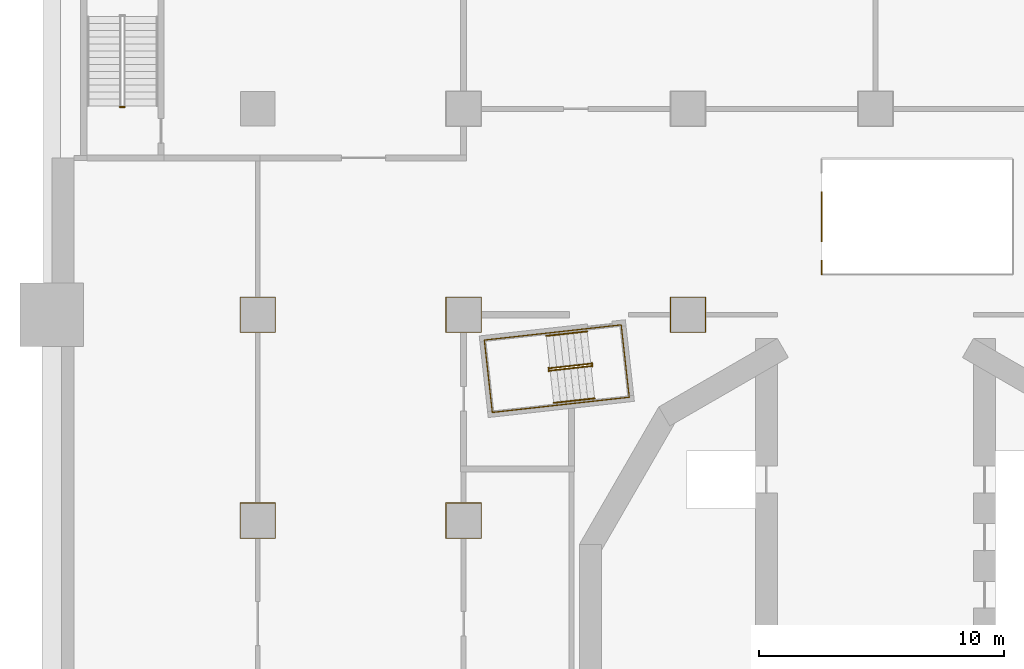
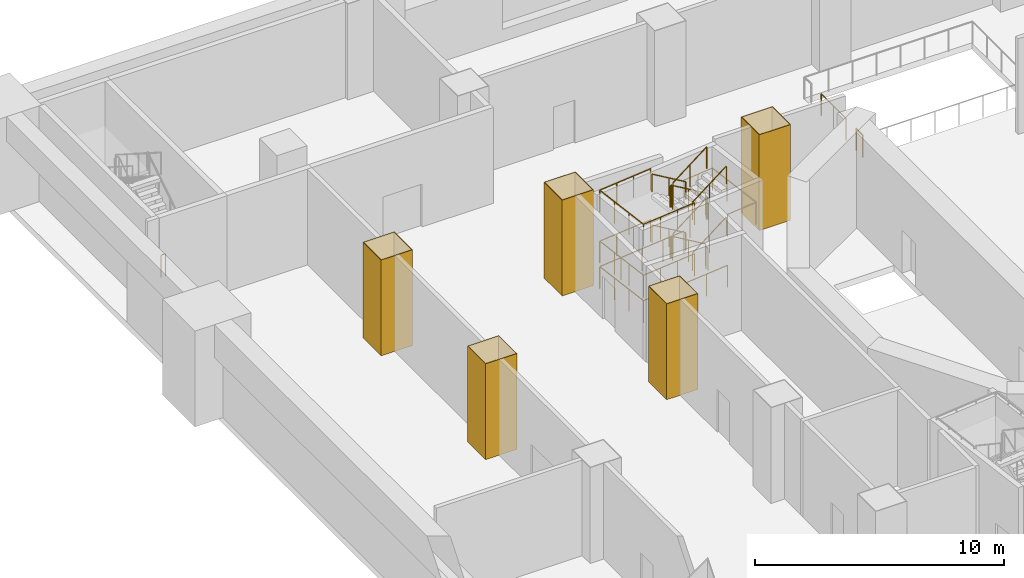
# One storey, part 12 of 17: 16 railings, 5 coverings.
"""IFC4 building model written with IfcOpenShell, lengths in metres."""

from ifc_helpers import new_model, si_unit, direction, frame, origin, origin_2d, place, context, subcontext, project, spatial, polyline, circle, outline, extrude, material, layer, layer_set, type_object, element, save


model = new_model("IFC4")

# Units and contexts
model_context = context("Model", 3, precision=1e-05, world=origin(), true_north=direction((0.0, 1.0)))
body_context = subcontext(model_context, "Body", "Model", "MODEL_VIEW")
ifc_project = project(units=[si_unit("LENGTHUNIT", "METRE"), si_unit("AREAUNIT", "SQUARE_METRE"), si_unit("VOLUMEUNIT", "CUBIC_METRE"), si_unit("PLANEANGLEUNIT", "RADIAN"), si_unit("MASSUNIT", "GRAM", prefix="KILO")], contexts=[model_context])

# Site, building, storey
site_placement = place(None, origin())
site = spatial("IfcSite", under=ifc_project, at=site_placement, CompositionType="ELEMENT")
building_placement = place(site_placement, origin())
building = spatial("IfcBuilding", under=site, at=building_placement, Name="Cantera Rosa Tower", CompositionType="ELEMENT")
storey_placement = place(building_placement, frame((0.0, 0.0, 22.0)))
storey = spatial("IfcBuildingStorey", under=building, at=storey_placement, Name="L03", CompositionType="ELEMENT", Elevation=22.0)

# Coverings
ifc_material_1 = material(Name="Plaster")
ifc_layer = layer(ifc_material_1, 0.030029296875)
ifc_layer_set = layer_set([ifc_layer], Name="Column casing 30")
covering_type = type_object("IfcCoveringType", Name="Column casing 30", PredefinedType="CLADDING", material=ifc_layer_set)
covering_1_placement = place(storey_placement, origin())
element("IfcCovering", 1, at=covering_1_placement, inside=storey, type_object=covering_type, Name="Column casing L03-003", PredefinedType="CLADDING", context=body_context, shape_type="SweptSolid", body=[
    extrude(outline(polyline([(-25.929931640625, 3.469970703125), (-24.469970703125, 3.469970703125), (-24.469970703125, 4.929931640625), (-25.929931640625, 4.929931640625), (-25.929931640625, 3.469970703125)]), holes=[polyline([(-24.5, 4.89990234375), (-25.89990234375, 4.89990234375), (-25.89990234375, 3.5), (-24.5, 3.5), (-24.5, 4.89990234375)])]), origin(), (0.0, 0.0, 1.0), 4.699951171875),
])
covering_2_placement = place(storey_placement, origin())
element("IfcCovering", 2, at=covering_2_placement, inside=storey, type_object=covering_type, Name="Column casing L03-004", PredefinedType="CLADDING", context=body_context, shape_type="SweptSolid", body=[
    extrude(outline(polyline([(-25.929931640625, 11.8701171875), (-24.469970703125, 11.8701171875), (-24.469970703125, 13.330078125), (-25.929931640625, 13.330078125), (-25.929931640625, 11.8701171875)]), holes=[polyline([(-24.5, 13.300048828125), (-25.89990234375, 13.300048828125), (-25.89990234375, 11.89990234375), (-24.5, 11.89990234375), (-24.5, 13.300048828125)])]), origin(), (0.0, 0.0, 1.0), 4.699951171875),
])
covering_3_placement = place(storey_placement, origin())
element("IfcCovering", 3, at=covering_3_placement, inside=storey, type_object=covering_type, Name="Column casing L03-009", PredefinedType="CLADDING", context=body_context, shape_type="SweptSolid", body=[
    extrude(outline(polyline([(-17.530029296875, 3.469970703125), (-16.070068359375, 3.469970703125), (-16.070068359375, 4.929931640625), (-17.530029296875, 4.929931640625), (-17.530029296875, 3.469970703125)]), holes=[polyline([(-16.10009765625, 4.89990234375), (-17.5, 4.89990234375), (-17.5, 3.5), (-16.10009765625, 3.5), (-16.10009765625, 4.89990234375)])]), origin(), (0.0, 0.0, 1.0), 4.699951171875),
])
covering_4_placement = place(storey_placement, origin())
element("IfcCovering", 4, at=covering_4_placement, inside=storey, type_object=covering_type, Name="Column casing L03-010", PredefinedType="CLADDING", context=body_context, shape_type="SweptSolid", body=[
    extrude(outline(polyline([(-17.530029296875, 11.8701171875), (-16.070068359375, 11.8701171875), (-16.070068359375, 13.330078125), (-17.530029296875, 13.330078125), (-17.530029296875, 11.8701171875)]), holes=[polyline([(-16.10009765625, 13.300048828125), (-17.5, 13.300048828125), (-17.5, 11.89990234375), (-16.10009765625, 11.89990234375), (-16.10009765625, 13.300048828125)])]), origin(), (0.0, 0.0, 1.0), 4.699951171875),
])
covering_5_placement = place(storey_placement, origin())
element("IfcCovering", 5, at=covering_5_placement, inside=storey, type_object=covering_type, Name="Column casing L03-015", PredefinedType="CLADDING", context=body_context, shape_type="SweptSolid", body=[
    extrude(outline(polyline([(-8.3798828125, 11.8701171875), (-6.919921875, 11.8701171875), (-6.919921875, 13.330078125), (-8.3798828125, 13.330078125), (-8.3798828125, 11.8701171875)]), holes=[polyline([(-6.949951171875, 13.300048828125), (-8.35009765625, 13.300048828125), (-8.35009765625, 11.89990234375), (-6.949951171875, 11.89990234375), (-6.949951171875, 13.300048828125)])]), origin(), (0.0, 0.0, 1.0), 4.699951171875),
])

# Railings
ifc_material_2 = material(Name="Steel S355J2 (EN 10025-2)", Category="steel")
railing_type_1 = type_object("IfcRailingType", Name="STAIR GUARD 1100", PredefinedType="GUARDRAIL", material=ifc_material_2)
railing_1_placement = place(storey_placement, frame((-11.614013671875, 10.60302734375, 0.178466796875)))
element("IfcRailing", 6, at=railing_1_placement, inside=storey, type_object=railing_type_1, Name="L03 ST-12 stair guard 1", PredefinedType="GUARDRAIL", context=body_context, shape_type="SweptSolid", body=[
    extrude(circle(Radius=0.02392578125, at=origin_2d()), frame((0.0, 0.0, 1.076171875), z_axis=(-0.837950904326, -0.092996744609, 0.537763784046), x_axis=(0.110303920128, -0.993897904819, 0.0)), (0.0, 0.0, 1.0), 1.99267578125),
    extrude(circle(Radius=0.02392578125, at=origin_2d()), frame((-1.669677734375, -0.185302734375, 2.1474609375), z_axis=(-0.931434406233, 0.363909256389, 0.0), x_axis=(-0.363909256389, -0.931434406233, 0.0)), (0.0, 0.0, 1.0), 0.056396484375),
    extrude(circle(Radius=0.02392578125, at=origin_2d()), frame((-1.72216796875, -0.164794921875, 2.1474609375), z_axis=(0.1090029065, -0.994041430915, 0.0), x_axis=(0.994041430915, 0.1090029065, 0.0)), (0.0, 0.0, 1.0), 0.150146484375),
    extrude(circle(Radius=0.02099609375, at=origin_2d()), origin(), (0.0, 0.0, 1.0), 1.052001953125),
    extrude(circle(Radius=0.02099609375, at=origin_2d()), frame((-0.8349609375, -0.0927734375, 0.53564453125)), (0.0, 0.0, 1.0), 1.052001953125),
    extrude(circle(Radius=0.02099609375, at=origin_2d()), frame((-1.669677734375, -0.185302734375, 1.071533203125)), (0.0, 0.0, 1.0), 1.052001953125),
    extrude(circle(Radius=0.02099609375, at=origin_2d()), frame((-1.72216796875, -0.164794921875, 1.071533203125)), (0.0, 0.0, 1.0), 1.052001953125),
    extrude(circle(Radius=0.02099609375, at=origin_2d()), frame((-1.705810546875, -0.31396484375, 1.071533203125)), (0.0, 0.0, 1.0), 1.052001953125),
])
railing_2_placement = place(storey_placement, frame((-13.27294921875, 10.3203125, 1.428466796875)))
element("IfcRailing", 7, at=railing_2_placement, inside=storey, type_object=railing_type_1, Name="L03 ST-12 stair guard 2", PredefinedType="GUARDRAIL", context=body_context, shape_type="SweptSolid", body=[
    extrude(circle(Radius=0.02392578125, at=origin_2d()), frame((0.0, 0.0, 1.076171875), z_axis=(0.837987391448, 0.092987197384, 0.537708576179), x_axis=(-0.11028798999, 0.993899672635, 0.0)), (0.0, 0.0, 1.0), 1.99267578125),
    extrude(circle(Radius=0.02392578125, at=origin_2d()), frame((1.669921875, 0.185302734375, 2.1474609375), z_axis=(0.932897555956, -0.360141847183, 0.0), x_axis=(0.360141847183, 0.932897555956, 0.0)), (0.0, 0.0, 1.0), 0.05615234375),
    extrude(circle(Radius=0.02392578125, at=origin_2d()), frame((1.722412109375, 0.1650390625, 2.1474609375), z_axis=(-0.110610055588, 0.993863881828, 0.0), x_axis=(-0.993863881828, -0.110610055588, 0.0)), (0.0, 0.0, 1.0), 0.150146484375),
    extrude(circle(Radius=0.02099609375, at=origin_2d()), origin(), (0.0, 0.0, 1.0), 1.052001953125),
    extrude(circle(Radius=0.02099609375, at=origin_2d()), frame((0.8349609375, 0.0927734375, 0.53564453125)), (0.0, 0.0, 1.0), 1.052001953125),
    extrude(circle(Radius=0.02099609375, at=origin_2d()), frame((1.669921875, 0.185302734375, 1.071533203125)), (0.0, 0.0, 1.0), 1.052001953125),
    extrude(circle(Radius=0.02099609375, at=origin_2d()), frame((1.722412109375, 0.1650390625, 1.071533203125)), (0.0, 0.0, 1.0), 1.052001953125),
    extrude(circle(Radius=0.02099609375, at=origin_2d()), frame((1.705810546875, 0.314208984375, 1.071533203125)), (0.0, 0.0, 1.0), 1.052001953125),
])
railing_3_placement = place(storey_placement, frame((-11.614013671875, 10.60302734375, 2.678466796875)))
element("IfcRailing", 8, at=railing_3_placement, inside=storey, type_object=railing_type_1, Name="L03 ST-12 stair guard 3", PredefinedType="GUARDRAIL", context=body_context, shape_type="SweptSolid", body=[
    extrude(circle(Radius=0.02392578125, at=origin_2d()), frame((0.0, 0.0, 1.076171875), z_axis=(-0.837950904326, -0.092996744609, 0.537763784046), x_axis=(0.110303920128, -0.993897904819, 0.0)), (0.0, 0.0, 1.0), 1.99267578125),
    extrude(circle(Radius=0.02392578125, at=origin_2d()), frame((-1.669677734375, -0.185302734375, 2.1474609375), z_axis=(-0.931434406233, 0.363909256389, 0.0), x_axis=(-0.363909256389, -0.931434406233, 0.0)), (0.0, 0.0, 1.0), 0.056396484375),
    extrude(circle(Radius=0.02392578125, at=origin_2d()), frame((-1.72216796875, -0.164794921875, 2.1474609375), z_axis=(0.1090029065, -0.994041430915, 0.0), x_axis=(0.994041430915, 0.1090029065, 0.0)), (0.0, 0.0, 1.0), 0.150146484375),
    extrude(circle(Radius=0.02099609375, at=origin_2d()), origin(), (0.0, 0.0, 1.0), 1.052001953125),
    extrude(circle(Radius=0.02099609375, at=origin_2d()), frame((-0.8349609375, -0.0927734375, 0.53564453125)), (0.0, 0.0, 1.0), 1.052001953125),
    extrude(circle(Radius=0.02099609375, at=origin_2d()), frame((-1.669677734375, -0.185302734375, 1.071533203125)), (0.0, 0.0, 1.0), 1.052001953125),
    extrude(circle(Radius=0.02099609375, at=origin_2d()), frame((-1.72216796875, -0.164794921875, 1.071533203125)), (0.0, 0.0, 1.0), 1.052001953125),
    extrude(circle(Radius=0.02099609375, at=origin_2d()), frame((-1.705810546875, -0.31396484375, 1.071533203125)), (0.0, 0.0, 1.0), 1.052001953125),
])
railing_4_placement = place(storey_placement, frame((-13.27294921875, 10.3203125, 3.928466796875)))
element("IfcRailing", 9, at=railing_4_placement, inside=storey, type_object=railing_type_1, Name="L03 ST-12 stair guard 4", PredefinedType="GUARDRAIL", context=body_context, shape_type="SweptSolid", body=[
    extrude(circle(Radius=0.02392578125, at=origin_2d()), frame((0.0, 0.0, 1.076171875), z_axis=(0.837987391448, 0.092987197384, 0.537708576179), x_axis=(-0.11028798999, 0.993899672635, 0.0)), (0.0, 0.0, 1.0), 1.99267578125),
    extrude(circle(Radius=0.02099609375, at=origin_2d()), origin(), (0.0, 0.0, 1.0), 1.052001953125),
    extrude(circle(Radius=0.02099609375, at=origin_2d()), frame((0.8349609375, 0.0927734375, 0.53564453125)), (0.0, 0.0, 1.0), 1.052001953125),
    extrude(circle(Radius=0.02099609375, at=origin_2d()), frame((1.669921875, 0.185302734375, 1.071533203125)), (0.0, 0.0, 1.0), 1.052001953125),
])
railing_5_placement = place(storey_placement, frame((-11.567138671875, 10.634521484375, 0.0)))
element("IfcRailing", 10, at=railing_5_placement, inside=storey, type_object=railing_type_1, Name="L03 ST-12 stair guard 5", PredefinedType="GUARDRAIL", context=body_context, shape_type="SweptSolid", body=[
    extrude(circle(Radius=0.02392578125, at=origin_2d()), frame((0.0, 0.0, 1.076171875), z_axis=(0.110610055588, -0.993863881828, 0.0), x_axis=(0.993863881828, 0.110610055588, 0.0)), (0.0, 0.0, 1.0), 0.150146484375),
    extrude(circle(Radius=0.02099609375, at=origin_2d()), origin(), (0.0, 0.0, 1.0), 1.052001953125),
    extrude(circle(Radius=0.02099609375, at=origin_2d()), frame((0.0166015625, -0.149169921875, 0.0)), (0.0, 0.0, 1.0), 1.052001953125),
])
railing_6_placement = place(storey_placement, frame((-11.7841796875, 12.029052734375, 0.0)))
element("IfcRailing", 11, at=railing_6_placement, inside=storey, type_object=railing_type_1, Name="L03 ST-12 stair guard 6", PredefinedType="GUARDRAIL", context=body_context, shape_type="SweptSolid", body=[
    extrude(circle(Radius=0.02392578125, at=origin_2d()), frame((0.0, 0.0, 1.076171875), z_axis=(-0.9938957856, -0.110323013767, 0.0), x_axis=(0.110323013767, -0.9938957856, 0.0)), (0.0, 0.0, 1.0), 4.197998046875),
    extrude(circle(Radius=0.02392578125, at=origin_2d()), frame((-4.17236328125, -0.463134765625, 1.076171875), z_axis=(0.11023303584, -0.99390576908, 0.0), x_axis=(0.99390576908, 0.11023303584, 0.0)), (0.0, 0.0, 1.0), 2.969970703125),
    extrude(circle(Radius=0.02392578125, at=origin_2d()), frame((-3.844970703125, -3.4150390625, 1.076171875), z_axis=(0.993896493372, 0.11031663729, 0.0), x_axis=(-0.11031663729, 0.993896493372, 0.0)), (0.0, 0.0, 1.0), 4.1982421875),
    extrude(circle(Radius=0.02099609375, at=origin_2d()), origin(), (0.0, 0.0, 1.0), 1.052001953125),
    extrude(circle(Radius=0.02099609375, at=origin_2d()), frame((-1.04296875, -0.11572265625, 0.0)), (0.0, 0.0, 1.0), 1.052001953125),
    extrude(circle(Radius=0.02099609375, at=origin_2d()), frame((-2.086181640625, -0.2314453125, 0.0)), (0.0, 0.0, 1.0), 1.052001953125),
    extrude(circle(Radius=0.02099609375, at=origin_2d()), frame((-3.12939453125, -0.347412109375, 0.0)), (0.0, 0.0, 1.0), 1.052001953125),
    extrude(circle(Radius=0.02099609375, at=origin_2d()), frame((-4.17236328125, -0.463134765625, 0.0)), (0.0, 0.0, 1.0), 1.052001953125),
    extrude(circle(Radius=0.02099609375, at=origin_2d()), frame((-4.063232421875, -1.447021484375, 0.0)), (0.0, 0.0, 1.0), 1.052001953125),
    extrude(circle(Radius=0.02099609375, at=origin_2d()), frame((-3.9541015625, -2.43115234375, 0.0)), (0.0, 0.0, 1.0), 1.052001953125),
    extrude(circle(Radius=0.02099609375, at=origin_2d()), frame((-3.844970703125, -3.4150390625, 0.0)), (0.0, 0.0, 1.0), 1.052001953125),
    extrude(circle(Radius=0.02099609375, at=origin_2d()), frame((-2.8017578125, -3.29931640625, 0.0)), (0.0, 0.0, 1.0), 1.052001953125),
    extrude(circle(Radius=0.02099609375, at=origin_2d()), frame((-1.7587890625, -3.18359375, 0.0)), (0.0, 0.0, 1.0), 1.052001953125),
    extrude(circle(Radius=0.02099609375, at=origin_2d()), frame((-0.715576171875, -3.067626953125, 0.0)), (0.0, 0.0, 1.0), 1.052001953125),
    extrude(circle(Radius=0.02099609375, at=origin_2d()), frame((0.32763671875, -2.951904296875, 0.0)), (0.0, 0.0, 1.0), 1.052001953125),
])
railing_7_placement = place(storey_placement, frame((-13.43017578125, 11.846435546875, 1.25)))
element("IfcRailing", 12, at=railing_7_placement, inside=storey, type_object=railing_type_1, Name="L03 ST-12 stair guard 7", PredefinedType="GUARDRAIL", context=body_context, shape_type="SweptSolid", body=[
    extrude(circle(Radius=0.02392578125, at=origin_2d()), frame((0.0, 0.0, 1.076171875), z_axis=(-0.993891931048, -0.110357733743, 0.0), x_axis=(0.110357733743, -0.993891931048, 0.0)), (0.0, 0.0, 1.0), 2.5419921875),
    extrude(circle(Radius=0.02392578125, at=origin_2d()), frame((-2.5263671875, -0.280517578125, 1.076171875), z_axis=(0.11023303584, -0.99390576908, 0.0), x_axis=(0.99390576908, 0.11023303584, 0.0)), (0.0, 0.0, 1.0), 2.969970703125),
    extrude(circle(Radius=0.02392578125, at=origin_2d()), frame((-2.198974609375, -3.232421875, 1.076171875), z_axis=(0.993893100618, 0.110347199982, 0.0), x_axis=(-0.110347199982, 0.993893100618, 0.0)), (0.0, 0.0, 1.0), 2.542236328125),
    extrude(circle(Radius=0.02099609375, at=origin_2d()), origin(), (0.0, 0.0, 1.0), 1.052001953125),
    extrude(circle(Radius=0.02099609375, at=origin_2d()), frame((-0.842041015625, -0.093505859375, 0.0)), (0.0, 0.0, 1.0), 1.052001953125),
    extrude(circle(Radius=0.02099609375, at=origin_2d()), frame((-1.684326171875, -0.18701171875, 0.0)), (0.0, 0.0, 1.0), 1.052001953125),
    extrude(circle(Radius=0.02099609375, at=origin_2d()), frame((-2.5263671875, -0.280517578125, 0.0)), (0.0, 0.0, 1.0), 1.052001953125),
    extrude(circle(Radius=0.02099609375, at=origin_2d()), frame((-2.417236328125, -1.264404296875, 0.0)), (0.0, 0.0, 1.0), 1.052001953125),
    extrude(circle(Radius=0.02099609375, at=origin_2d()), frame((-2.30810546875, -2.24853515625, 0.0)), (0.0, 0.0, 1.0), 1.052001953125),
    extrude(circle(Radius=0.02099609375, at=origin_2d()), frame((-2.198974609375, -3.232421875, 0.0)), (0.0, 0.0, 1.0), 1.052001953125),
    extrude(circle(Radius=0.02099609375, at=origin_2d()), frame((-1.356689453125, -3.138916015625, 0.0)), (0.0, 0.0, 1.0), 1.052001953125),
    extrude(circle(Radius=0.02099609375, at=origin_2d()), frame((-0.5146484375, -3.04541015625, 0.0)), (0.0, 0.0, 1.0), 1.052001953125),
    extrude(circle(Radius=0.02099609375, at=origin_2d()), frame((0.32763671875, -2.951904296875, 0.0)), (0.0, 0.0, 1.0), 1.052001953125),
])
railing_8_placement = place(storey_placement, frame((-11.7841796875, 12.029052734375, 2.5)))
element("IfcRailing", 13, at=railing_8_placement, inside=storey, type_object=railing_type_1, Name="L03 ST-12 stair guard 8", PredefinedType="GUARDRAIL", context=body_context, shape_type="SweptSolid", body=[
    extrude(circle(Radius=0.02392578125, at=origin_2d()), frame((0.0, 0.0, 1.076171875), z_axis=(0.993887921413, 0.110393838913, 0.0), x_axis=(-0.110393838913, 0.993887921413, 0.0)), (0.0, 0.0, 1.0), 1.422119140625),
    extrude(circle(Radius=0.02392578125, at=origin_2d()), frame((1.413330078125, 0.156982421875, 1.076171875), z_axis=(0.11023303584, -0.99390576908, 0.0), x_axis=(0.99390576908, 0.11023303584, 0.0)), (0.0, 0.0, 1.0), 2.969970703125),
    extrude(circle(Radius=0.02392578125, at=origin_2d()), frame((1.74072265625, -2.794921875, 1.076171875), z_axis=(-0.993885828579, -0.110412679298, 0.0), x_axis=(0.110412679298, -0.993885828579, 0.0)), (0.0, 0.0, 1.0), 1.421875),
    extrude(circle(Radius=0.02099609375, at=origin_2d()), origin(), (0.0, 0.0, 1.0), 1.052001953125),
    extrude(circle(Radius=0.02099609375, at=origin_2d()), frame((0.70654296875, 0.07861328125, 0.0)), (0.0, 0.0, 1.0), 1.052001953125),
    extrude(circle(Radius=0.02099609375, at=origin_2d()), frame((1.413330078125, 0.156982421875, 0.0)), (0.0, 0.0, 1.0), 1.052001953125),
    extrude(circle(Radius=0.02099609375, at=origin_2d()), frame((1.5224609375, -0.826904296875, 0.0)), (0.0, 0.0, 1.0), 1.052001953125),
    extrude(circle(Radius=0.02099609375, at=origin_2d()), frame((1.631591796875, -1.81103515625, 0.0)), (0.0, 0.0, 1.0), 1.052001953125),
    extrude(circle(Radius=0.02099609375, at=origin_2d()), frame((1.74072265625, -2.794921875, 0.0)), (0.0, 0.0, 1.0), 1.052001953125),
    extrude(circle(Radius=0.02099609375, at=origin_2d()), frame((1.0341796875, -2.87353515625, 0.0)), (0.0, 0.0, 1.0), 1.052001953125),
    extrude(circle(Radius=0.02099609375, at=origin_2d()), frame((0.32763671875, -2.951904296875, 0.0)), (0.0, 0.0, 1.0), 1.052001953125),
])
railing_9_placement = place(storey_placement, frame((-13.43017578125, 11.846435546875, 3.75)))
element("IfcRailing", 14, at=railing_9_placement, inside=storey, type_object=railing_type_1, Name="L03 ST-12 stair guard 9", PredefinedType="GUARDRAIL", context=body_context, shape_type="SweptSolid", body=[
    extrude(circle(Radius=0.02392578125, at=origin_2d()), frame((0.0, 0.0, 1.076171875), z_axis=(-0.993891931048, -0.110357733743, 0.0), x_axis=(0.110357733743, -0.993891931048, 0.0)), (0.0, 0.0, 1.0), 2.5419921875),
    extrude(circle(Radius=0.02392578125, at=origin_2d()), frame((-2.5263671875, -0.280517578125, 1.076171875), z_axis=(0.11023303584, -0.99390576908, 0.0), x_axis=(0.99390576908, 0.11023303584, 0.0)), (0.0, 0.0, 1.0), 2.969970703125),
    extrude(circle(Radius=0.02392578125, at=origin_2d()), frame((-2.198974609375, -3.232421875, 1.076171875), z_axis=(0.993893100618, 0.110347199982, 0.0), x_axis=(-0.110347199982, 0.993893100618, 0.0)), (0.0, 0.0, 1.0), 2.542236328125),
    extrude(circle(Radius=0.02099609375, at=origin_2d()), origin(), (0.0, 0.0, 1.0), 1.052001953125),
    extrude(circle(Radius=0.02099609375, at=origin_2d()), frame((-0.842041015625, -0.093505859375, 0.0)), (0.0, 0.0, 1.0), 1.052001953125),
    extrude(circle(Radius=0.02099609375, at=origin_2d()), frame((-1.684326171875, -0.18701171875, 0.0)), (0.0, 0.0, 1.0), 1.052001953125),
    extrude(circle(Radius=0.02099609375, at=origin_2d()), frame((-2.5263671875, -0.280517578125, 0.0)), (0.0, 0.0, 1.0), 1.052001953125),
    extrude(circle(Radius=0.02099609375, at=origin_2d()), frame((-2.417236328125, -1.264404296875, 0.0)), (0.0, 0.0, 1.0), 1.052001953125),
    extrude(circle(Radius=0.02099609375, at=origin_2d()), frame((-2.30810546875, -2.24853515625, 0.0)), (0.0, 0.0, 1.0), 1.052001953125),
    extrude(circle(Radius=0.02099609375, at=origin_2d()), frame((-2.198974609375, -3.232421875, 0.0)), (0.0, 0.0, 1.0), 1.052001953125),
    extrude(circle(Radius=0.02099609375, at=origin_2d()), frame((-1.356689453125, -3.138916015625, 0.0)), (0.0, 0.0, 1.0), 1.052001953125),
    extrude(circle(Radius=0.02099609375, at=origin_2d()), frame((-0.5146484375, -3.04541015625, 0.0)), (0.0, 0.0, 1.0), 1.052001953125),
    extrude(circle(Radius=0.02099609375, at=origin_2d()), frame((0.32763671875, -2.951904296875, 0.0)), (0.0, 0.0, 1.0), 1.052001953125),
])
railing_10_placement = place(storey_placement, frame((-30.625, 21.074951171875, 0.0)))
element("IfcRailing", 15, at=railing_10_placement, inside=storey, type_object=railing_type_1, Name="L03 ST-NW stair guard 4", PredefinedType="GUARDRAIL", context=body_context, shape_type="SweptSolid", body=[
    extrude(circle(Radius=0.02392578125, at=origin_2d()), frame((0.0, 0.0, 1.076171875), z_axis=(-1.0, 0.0, 0.0), x_axis=(0.0, -1.0, 0.0)), (0.0, 0.0, 1.0), 0.199951171875),
    extrude(circle(Radius=0.02099609375, at=origin_2d()), origin(), (0.0, 0.0, 1.0), 1.052001953125),
    extrude(circle(Radius=0.02099609375, at=origin_2d()), frame((-0.199951171875, 0.0, 0.0)), (0.0, 0.0, 1.0), 1.052001953125),
])
ifc_material_3 = material(Name="Steel S355J2 (EN 10025-2)", Category="steel")
railing_type_2 = type_object("IfcRailingType", Name="STAIR HANDRAIL 900", PredefinedType="HANDRAIL", material=ifc_material_3)
railing_11_placement = place(storey_placement, frame((-11.76025390625, 11.921142578125, 0.178466796875)))
element("IfcRailing", 16, at=railing_11_placement, inside=storey, type_object=railing_type_2, Name="L03 ST-12 stair handrail 1", PredefinedType="HANDRAIL", context=body_context, shape_type="SweptSolid", body=[
    extrude(circle(Radius=0.02392578125, at=origin_2d()), frame((0.0, 0.0, 0.8759765625), z_axis=(-0.837950904326, -0.092996744609, 0.537763784046), x_axis=(0.110303920128, -0.993897904819, 0.0)), (0.0, 0.0, 1.0), 1.99267578125),
    extrude(circle(Radius=0.02099609375, at=origin_2d()), origin(), (0.0, 0.0, 1.0), 0.851806640625),
    extrude(circle(Radius=0.02099609375, at=origin_2d()), frame((-0.8349609375, -0.0927734375, 0.53564453125)), (0.0, 0.0, 1.0), 0.851806640625),
    extrude(circle(Radius=0.02099609375, at=origin_2d()), frame((-1.669677734375, -0.185302734375, 1.071533203125)), (0.0, 0.0, 1.0), 0.851806640625),
])
railing_12_placement = place(storey_placement, frame((-13.126708984375, 9.00244140625, 1.428466796875)))
element("IfcRailing", 17, at=railing_12_placement, inside=storey, type_object=railing_type_2, Name="L03 ST-12 stair handrail 2", PredefinedType="HANDRAIL", context=body_context, shape_type="SweptSolid", body=[
    extrude(circle(Radius=0.02392578125, at=origin_2d()), frame((0.0, 0.0, 0.8759765625), z_axis=(0.837987391448, 0.092987197384, 0.537708576179), x_axis=(-0.11028798999, 0.993899672635, 0.0)), (0.0, 0.0, 1.0), 1.99267578125),
    extrude(circle(Radius=0.02099609375, at=origin_2d()), origin(), (0.0, 0.0, 1.0), 0.851806640625),
    extrude(circle(Radius=0.02099609375, at=origin_2d()), frame((0.8349609375, 0.0927734375, 0.53564453125)), (0.0, 0.0, 1.0), 0.851806640625),
    extrude(circle(Radius=0.02099609375, at=origin_2d()), frame((1.669921875, 0.185302734375, 1.071533203125)), (0.0, 0.0, 1.0), 0.851806640625),
])
railing_13_placement = place(storey_placement, frame((-11.76025390625, 11.921142578125, 2.678466796875)))
element("IfcRailing", 18, at=railing_13_placement, inside=storey, type_object=railing_type_2, Name="L03 ST-12 stair handrail 3", PredefinedType="HANDRAIL", context=body_context, shape_type="SweptSolid", body=[
    extrude(circle(Radius=0.02392578125, at=origin_2d()), frame((0.0, 0.0, 0.8759765625), z_axis=(-0.837950904326, -0.092996744609, 0.537763784046), x_axis=(0.110303920128, -0.993897904819, 0.0)), (0.0, 0.0, 1.0), 1.99267578125),
    extrude(circle(Radius=0.02099609375, at=origin_2d()), origin(), (0.0, 0.0, 1.0), 0.851806640625),
    extrude(circle(Radius=0.02099609375, at=origin_2d()), frame((-0.8349609375, -0.0927734375, 0.53564453125)), (0.0, 0.0, 1.0), 0.851806640625),
    extrude(circle(Radius=0.02099609375, at=origin_2d()), frame((-1.669677734375, -0.185302734375, 1.071533203125)), (0.0, 0.0, 1.0), 0.851806640625),
])
railing_14_placement = place(storey_placement, frame((-13.126708984375, 9.00244140625, 3.928466796875)))
element("IfcRailing", 19, at=railing_14_placement, inside=storey, type_object=railing_type_2, Name="L03 ST-12 stair handrail 4", PredefinedType="HANDRAIL", context=body_context, shape_type="SweptSolid", body=[
    extrude(circle(Radius=0.02392578125, at=origin_2d()), frame((0.0, 0.0, 0.8759765625), z_axis=(0.837987391448, 0.092987197384, 0.537708576179), x_axis=(-0.11028798999, 0.993899672635, 0.0)), (0.0, 0.0, 1.0), 1.99267578125),
    extrude(circle(Radius=0.02099609375, at=origin_2d()), origin(), (0.0, 0.0, 1.0), 0.851806640625),
    extrude(circle(Radius=0.02099609375, at=origin_2d()), frame((0.8349609375, 0.0927734375, 0.53564453125)), (0.0, 0.0, 1.0), 0.851806640625),
    extrude(circle(Radius=0.02099609375, at=origin_2d()), frame((1.669921875, 0.185302734375, 1.071533203125)), (0.0, 0.0, 1.0), 0.851806640625),
])
ifc_material_4 = material(Name="Steel S355J2 (EN 10025-2)", Category="steel")
railing_type_3 = type_object("IfcRailingType", Name="Well guard 1100", PredefinedType="GUARDRAIL", material=ifc_material_4)
railing_15_placement = place(storey_placement, frame((-2.194091796875, 14.25, 0.0)))
element("IfcRailing", 20, at=railing_15_placement, inside=storey, type_object=railing_type_3, Name="Guard at the top of escalator well L03", PredefinedType="GUARDRAIL", context=body_context, shape_type="SweptSolid", body=[
    extrude(circle(Radius=0.02392578125, at=origin_2d()), frame((0.0, 0.0, 1.076171875), z_axis=(0.0, 1.0, 0.0), x_axis=(-1.0, 0.0, 0.0)), (0.0, 0.0, 1.0), 0.550048828125),
    extrude(circle(Radius=0.02099609375, at=origin_2d()), origin(), (0.0, 0.0, 1.0), 1.052001953125),
    extrude(circle(Radius=0.02099609375, at=origin_2d()), frame((0.0, 0.550048828125, 0.0)), (0.0, 0.0, 1.0), 1.052001953125),
])
railing_16_placement = place(storey_placement, frame((-2.194091796875, 15.60009765625, 0.0)))
element("IfcRailing", 21, at=railing_16_placement, inside=storey, type_object=railing_type_3, Name="Guard at the top of escalator well L03", PredefinedType="GUARDRAIL", context=body_context, shape_type="SweptSolid", body=[
    extrude(circle(Radius=0.02392578125, at=origin_2d()), frame((0.0, 0.0, 1.076171875), z_axis=(0.0, 1.0, 0.0), x_axis=(-1.0, 0.0, 0.0)), (0.0, 0.0, 1.0), 2.0),
    extrude(circle(Radius=0.02099609375, at=origin_2d()), origin(), (0.0, 0.0, 1.0), 1.052001953125),
    extrude(circle(Radius=0.02099609375, at=origin_2d()), frame((0.0, 1.0, 0.0)), (0.0, 0.0, 1.0), 1.052001953125),
    extrude(circle(Radius=0.02099609375, at=origin_2d()), frame((0.0, 2.0, 0.0)), (0.0, 0.0, 1.0), 1.052001953125),
])

save(model, "model.ifc")
